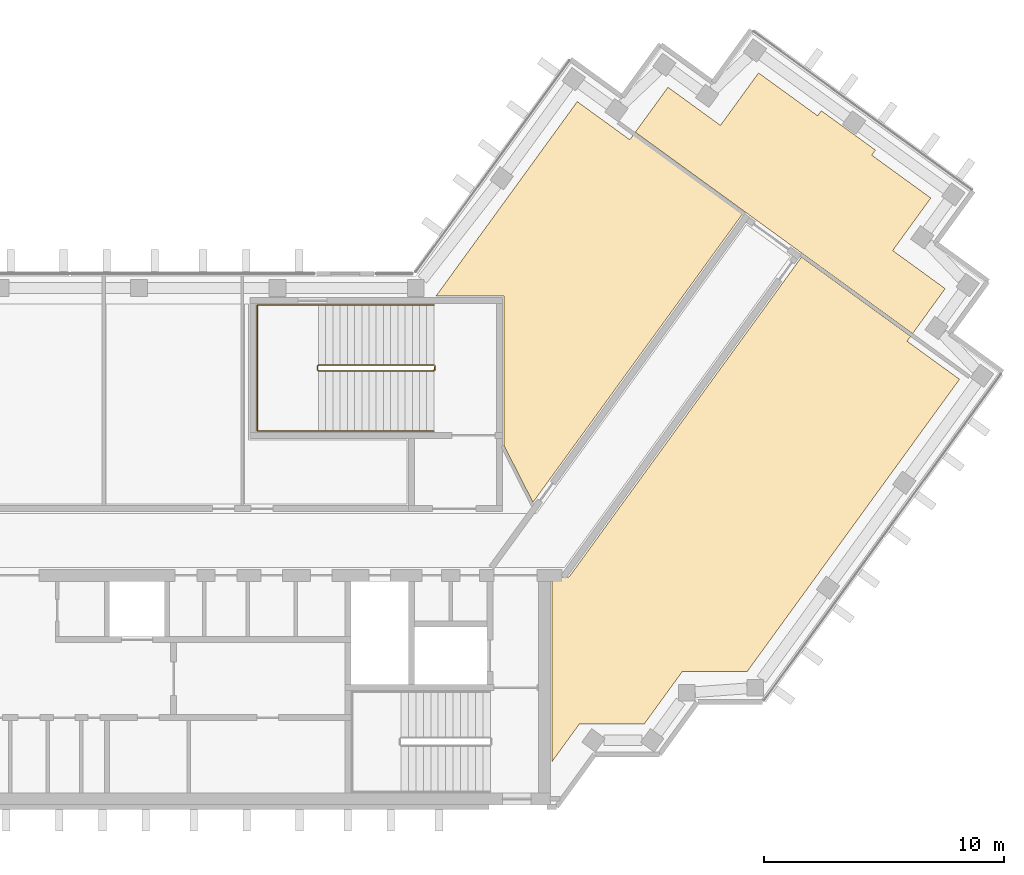
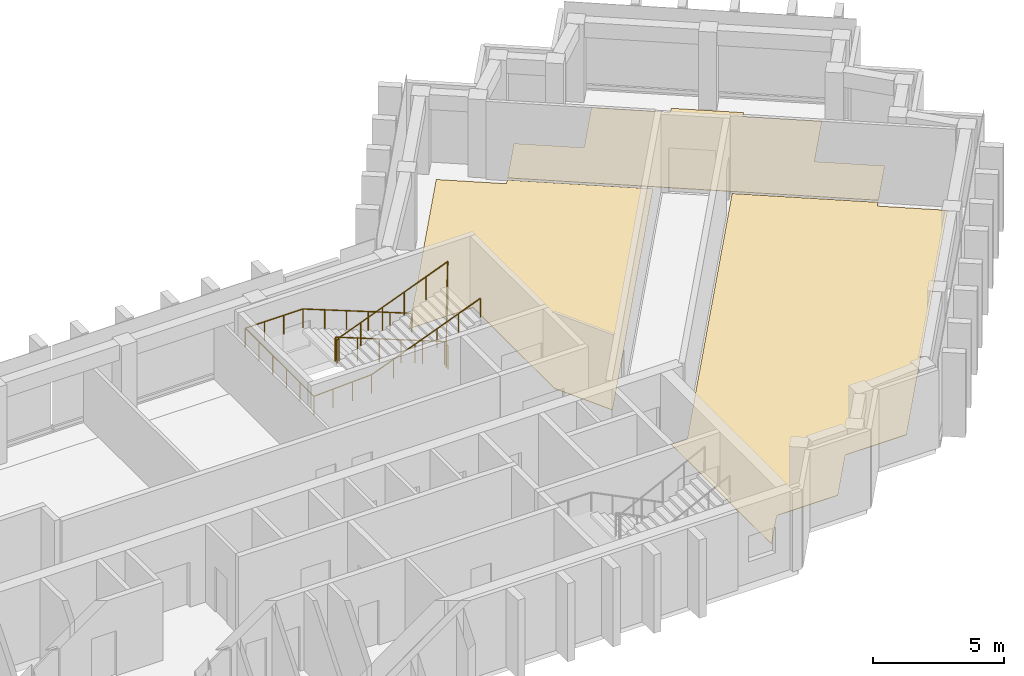
# One storey, part 9 of 9: 3 coverings, 2 railings.
"""IFC4 building model written with IfcOpenShell, lengths in metres."""

from ifc_helpers import new_model, si_unit, direction, frame, origin, origin_2d, place, context, subcontext, project, spatial, polyline, circle, outline, extrude, material, layer, layer_set, type_object, element, save


model = new_model("IFC4")

# Units and contexts
model_context = context("Model", 3, precision=1e-05, world=origin(), true_north=direction((0.0, 1.0)))
body_context = subcontext(model_context, "Body", "Model", "MODEL_VIEW")
ifc_project = project(units=[si_unit("LENGTHUNIT", "METRE"), si_unit("AREAUNIT", "SQUARE_METRE"), si_unit("VOLUMEUNIT", "CUBIC_METRE"), si_unit("PLANEANGLEUNIT", "RADIAN"), si_unit("MASSUNIT", "GRAM", prefix="KILO")], contexts=[model_context])

# Site, building, storey
site_placement = place(None, origin())
site = spatial("IfcSite", under=ifc_project, at=site_placement, CompositionType="ELEMENT")
building_placement = place(site_placement, origin())
building = spatial("IfcBuilding", under=site, at=building_placement, Name="Quipu Civic Tower", CompositionType="ELEMENT")
storey_placement = place(building_placement, frame((0.0, 0.0, 293.0)))
storey = spatial("IfcBuildingStorey", under=building, at=storey_placement, Name="L68", CompositionType="ELEMENT", Elevation=293.0)

# Coverings
ifc_material_1 = material(Name="Carpet tile on raised access floor")
ifc_layer = layer(ifc_material_1, 0.02001953125)
ifc_layer_set = layer_set([ifc_layer], Name="Carpet tile on raised access floor")
covering_type = type_object("IfcCoveringType", Name="Carpet tile floor finish 20", PredefinedType="FLOORING", material=ifc_layer_set)
covering_1_placement = place(storey_placement, origin())
element("IfcCovering", 1, at=covering_1_placement, inside=storey, type_object=covering_type, Name="Carpet tile floor finish 20", PredefinedType="FLOORING", context=body_context, shape_type="SweptSolid", body=[
    extrude(outline(polyline([(15.238037109375, 10.169921875), (21.115966796875, 18.260986328125), (23.299072265625, 16.676025390625), (23.447998046875, 16.876953125), (27.987060546875, 13.5791015625), (19.27197265625, 1.583984375), (18.070068359375, 3.94189453125), (18.070068359375, 10.1689453125), (15.238037109375, 10.169921875)])), origin(), (0.0, 0.0, 1.0), 0.02001953125),
])
covering_2_placement = place(storey_placement, origin())
element("IfcCovering", 2, at=covering_2_placement, inside=storey, type_object=covering_type, Name="Carpet tile floor finish 20", PredefinedType="FLOORING", context=body_context, shape_type="SweptSolid", body=[
    extrude(outline(polyline([(23.531005859375, 16.989013671875), (24.888916015625, 18.85791015625), (27.073974609375, 17.27197265625), (28.658935546875, 19.455078125), (31.116943359375, 17.6708984375), (31.27099609375, 17.8798828125), (33.52197265625, 16.2451171875), (33.3701171875, 16.032958984375), (35.826904296875, 14.248046875), (34.240966796875, 12.06396484375), (36.425048828125, 10.47705078125), (35.068115234375, 8.60791015625), (23.531005859375, 16.989013671875)])), origin(), (0.0, 0.0, 1.0), 0.02001953125),
])
covering_3_placement = place(storey_placement, origin())
element("IfcCovering", 3, at=covering_3_placement, inside=storey, type_object=covering_type, Name="Carpet tile floor finish 20", PredefinedType="FLOORING", context=body_context, shape_type="SweptSolid", body=[
    extrude(outline(polyline([(20.070068359375, -9.195068359375), (20.070068359375, -1.52001953125), (20.77490234375, -1.51904296875), (30.446044921875, 11.7919921875), (34.985107421875, 8.493896484375), (34.839111328125, 8.291015625), (37.02197265625, 6.7060546875), (28.181884765625, -5.4609375), (25.48193359375, -5.4619140625), (23.89501953125, -7.64599609375), (21.196044921875, -7.64599609375), (20.070068359375, -9.195068359375)])), origin(), (0.0, 0.0, 1.0), 0.02001953125),
])

# Railings
ifc_material_2 = material(Name="Stainless steel", Category="steel")
railing_type_1 = type_object("IfcRailingType", Name="Stair guard 1100", PredefinedType="GUARDRAIL", material=ifc_material_2)
railing_1_placement = place(storey_placement, frame((15.14990234375, 7.300048828125, 0.11767578125)))
element("IfcRailing", 4, at=railing_1_placement, inside=storey, type_object=railing_type_1, Name="Stair 4 guard", PredefinedType="GUARDRAIL", context=body_context, shape_type="SweptSolid", body=[
    extrude(circle(Radius=0.02392578125, at=origin_2d()), frame((0.0, 0.0, 1.076171875), z_axis=(-0.930970042603, 0.0, 0.365095576219), x_axis=(0.0, -1.0, 0.0)), (0.0, 0.0, 1.0), 5.15576171875),
    extrude(circle(Radius=0.02392578125, at=origin_2d()), frame((-4.7998046875, 0.0, 2.95849609375), z_axis=(-0.707106781187, -0.707106781187, 0.0), x_axis=(0.707106781187, -0.707106781187, 0.0)), (0.0, 0.0, 1.0), 0.07080078125),
    extrude(circle(Radius=0.02392578125, at=origin_2d()), frame((-4.849853515625, -0.050048828125, 2.95849609375), z_axis=(0.0, -1.0, 0.0), x_axis=(1.0, 0.0, 0.0)), (0.0, 0.0, 1.0), 0.14990234375),
    extrude(circle(Radius=0.02392578125, at=origin_2d()), frame((-4.849853515625, -0.199951171875, 2.95849609375), z_axis=(0.364463019033, -0.364463019033, 0.856932561824), x_axis=(0.707106781187, 0.707106781187, 0.0)), (0.0, 0.0, 1.0), 0.13720703125),
    extrude(circle(Radius=0.02392578125, at=origin_2d()), frame((-4.7998046875, -0.25, 3.076171875), z_axis=(0.930970042603, 0.0, 0.365095576219), x_axis=(0.0, 1.0, 0.0)), (0.0, 0.0, 1.0), 5.15576171875),
    extrude(circle(Radius=0.02392578125, at=origin_2d()), frame((0.0, -0.25, 4.95849609375), z_axis=(0.012495627992, 0.049921557685, -0.998674970829), x_axis=(-0.970072785993, 0.242814311512, 0.0)), (0.0, 0.0, 1.0), 4.00537109375),
    extrude(circle(Radius=0.02392578125, at=origin_2d()), frame((0.050048828125, -0.050048828125, 0.95849609375), z_axis=(0.0, -1.0, 0.0), x_axis=(1.0, 0.0, 0.0)), (0.0, 0.0, 1.0), 0.14990234375),
    extrude(circle(Radius=0.02099609375, at=origin_2d()), origin(), (0.0, 0.0, 1.0), 1.052001953125),
    extrude(circle(Radius=0.02099609375, at=origin_2d()), frame((-0.9599609375, 0.0, 0.37646484375)), (0.0, 0.0, 1.0), 1.052001953125),
    extrude(circle(Radius=0.02099609375, at=origin_2d()), frame((-1.919921875, 0.0, 0.7529296875)), (0.0, 0.0, 1.0), 1.052001953125),
    extrude(circle(Radius=0.02099609375, at=origin_2d()), frame((-2.8798828125, 0.0, 1.12939453125)), (0.0, 0.0, 1.0), 1.052001953125),
    extrude(circle(Radius=0.02099609375, at=origin_2d()), frame((-3.83984375, 0.0, 1.505859375)), (0.0, 0.0, 1.0), 1.052001953125),
    extrude(circle(Radius=0.02099609375, at=origin_2d()), frame((-4.7998046875, 0.0, 1.88232421875)), (0.0, 0.0, 1.0), 1.052001953125),
    extrude(circle(Radius=0.02099609375, at=origin_2d()), frame((-4.849853515625, -0.050048828125, 1.88232421875)), (0.0, 0.0, 1.0), 1.052001953125),
    extrude(circle(Radius=0.02099609375, at=origin_2d()), frame((-4.849853515625, -0.199951171875, 1.88232421875)), (0.0, 0.0, 1.0), 1.052001953125),
    extrude(circle(Radius=0.02099609375, at=origin_2d()), frame((-4.7998046875, -0.25, 2.0)), (0.0, 0.0, 1.0), 1.052001953125),
    extrude(circle(Radius=0.02099609375, at=origin_2d()), frame((-3.83984375, -0.25, 2.37646484375)), (0.0, 0.0, 1.0), 1.052001953125),
    extrude(circle(Radius=0.02099609375, at=origin_2d()), frame((-2.8798828125, -0.25, 2.7529296875)), (0.0, 0.0, 1.0), 1.052001953125),
    extrude(circle(Radius=0.02099609375, at=origin_2d()), frame((-1.919921875, -0.25, 3.12939453125)), (0.0, 0.0, 1.0), 1.052001953125),
    extrude(circle(Radius=0.02099609375, at=origin_2d()), frame((-0.9599609375, -0.25, 3.505859375)), (0.0, 0.0, 1.0), 1.052001953125),
    extrude(circle(Radius=0.02099609375, at=origin_2d()), frame((0.0, -0.25, 3.88232421875)), (0.0, 0.0, 1.0), 1.052001953125),
    extrude(circle(Radius=0.02099609375, at=origin_2d()), frame((0.012451171875, -0.199951171875, 2.88232421875)), (0.0, 0.0, 1.0), 1.052001953125),
    extrude(circle(Radius=0.02099609375, at=origin_2d()), frame((0.02490234375, -0.14990234375, 1.88232421875)), (0.0, 0.0, 1.0), 1.052001953125),
    extrude(circle(Radius=0.02099609375, at=origin_2d()), frame((0.03759765625, -0.10009765625, 0.88232421875)), (0.0, 0.0, 1.0), 1.052001953125),
    extrude(circle(Radius=0.02099609375, at=origin_2d()), frame((0.050048828125, -0.050048828125, -0.11767578125)), (0.0, 0.0, 1.0), 1.052001953125),
    extrude(circle(Radius=0.02099609375, at=origin_2d()), frame((0.050048828125, -0.199951171875, -0.11767578125)), (0.0, 0.0, 1.0), 1.052001953125),
])
ifc_material_3 = material(Name="Stainless steel", Category="steel")
railing_type_2 = type_object("IfcRailingType", Name="Stair handrail", PredefinedType="HANDRAIL", material=ifc_material_3)
railing_2_placement = place(storey_placement, frame((15.14990234375, 9.800048828125, 0.11767578125)))
element("IfcRailing", 5, at=railing_2_placement, inside=storey, type_object=railing_type_2, Name="Stair 4 handrail", PredefinedType="HANDRAIL", context=body_context, shape_type="SweptSolid", body=[
    extrude(circle(Radius=0.02392578125, at=origin_2d()), frame((0.0, 0.0, 0.8759765625), z_axis=(-0.930970042603, 0.0, 0.365095576219), x_axis=(0.0, -1.0, 0.0)), (0.0, 0.0, 1.0), 5.15576171875),
    extrude(circle(Radius=0.02392578125, at=origin_2d()), frame((-4.7998046875, 0.0, 2.75830078125), z_axis=(-1.0, 0.0, 0.0), x_axis=(0.0, -1.0, 0.0)), (0.0, 0.0, 1.0), 2.550048828125),
    extrude(circle(Radius=0.02392578125, at=origin_2d()), frame((-7.349853515625, 0.0, 2.75830078125), z_axis=(0.0, -1.0, 0.0), x_axis=(1.0, 0.0, 0.0)), (0.0, 0.0, 1.0), 5.25),
    extrude(circle(Radius=0.02392578125, at=origin_2d()), frame((-7.349853515625, -5.25, 2.75830078125), z_axis=(0.998936948642, 0.0, 0.04609742549), x_axis=(0.0, 1.0, 0.0)), (0.0, 0.0, 1.0), 2.552734375),
    extrude(circle(Radius=0.02392578125, at=origin_2d()), frame((-4.7998046875, -5.25, 2.8759765625), z_axis=(0.930970042603, 0.0, 0.365095576219), x_axis=(0.0, 1.0, 0.0)), (0.0, 0.0, 1.0), 5.15576171875),
    extrude(circle(Radius=0.02099609375, at=origin_2d()), origin(), (0.0, 0.0, 1.0), 0.851806640625),
    extrude(circle(Radius=0.02099609375, at=origin_2d()), frame((-0.9599609375, 0.0, 0.37646484375)), (0.0, 0.0, 1.0), 0.851806640625),
    extrude(circle(Radius=0.02099609375, at=origin_2d()), frame((-1.919921875, 0.0, 0.7529296875)), (0.0, 0.0, 1.0), 0.851806640625),
    extrude(circle(Radius=0.02099609375, at=origin_2d()), frame((-2.8798828125, 0.0, 1.12939453125)), (0.0, 0.0, 1.0), 0.851806640625),
    extrude(circle(Radius=0.02099609375, at=origin_2d()), frame((-3.83984375, 0.0, 1.505859375)), (0.0, 0.0, 1.0), 0.851806640625),
    extrude(circle(Radius=0.02099609375, at=origin_2d()), frame((-4.7998046875, 0.0, 1.88232421875)), (0.0, 0.0, 1.0), 0.851806640625),
    extrude(circle(Radius=0.02099609375, at=origin_2d()), frame((-5.64990234375, 0.0, 1.88232421875)), (0.0, 0.0, 1.0), 0.851806640625),
    extrude(circle(Radius=0.02099609375, at=origin_2d()), frame((-6.499755859375, 0.0, 1.88232421875)), (0.0, 0.0, 1.0), 0.851806640625),
    extrude(circle(Radius=0.02099609375, at=origin_2d()), frame((-7.349853515625, 0.0, 1.88232421875)), (0.0, 0.0, 1.0), 0.851806640625),
    extrude(circle(Radius=0.02099609375, at=origin_2d()), frame((-7.349853515625, -1.050048828125, 1.88232421875)), (0.0, 0.0, 1.0), 0.851806640625),
    extrude(circle(Radius=0.02099609375, at=origin_2d()), frame((-7.349853515625, -2.10009765625, 1.88232421875)), (0.0, 0.0, 1.0), 0.851806640625),
    extrude(circle(Radius=0.02099609375, at=origin_2d()), frame((-7.349853515625, -3.14990234375, 1.88232421875)), (0.0, 0.0, 1.0), 0.851806640625),
    extrude(circle(Radius=0.02099609375, at=origin_2d()), frame((-7.349853515625, -4.199951171875, 1.88232421875)), (0.0, 0.0, 1.0), 0.851806640625),
    extrude(circle(Radius=0.02099609375, at=origin_2d()), frame((-7.349853515625, -5.25, 1.88232421875)), (0.0, 0.0, 1.0), 0.851806640625),
    extrude(circle(Radius=0.02099609375, at=origin_2d()), frame((-6.499755859375, -5.25, 1.921630859375)), (0.0, 0.0, 1.0), 0.851806640625),
    extrude(circle(Radius=0.02099609375, at=origin_2d()), frame((-5.64990234375, -5.25, 1.960693359375)), (0.0, 0.0, 1.0), 0.851806640625),
    extrude(circle(Radius=0.02099609375, at=origin_2d()), frame((-4.7998046875, -5.25, 2.0)), (0.0, 0.0, 1.0), 0.851806640625),
    extrude(circle(Radius=0.02099609375, at=origin_2d()), frame((-3.83984375, -5.25, 2.37646484375)), (0.0, 0.0, 1.0), 0.851806640625),
    extrude(circle(Radius=0.02099609375, at=origin_2d()), frame((-2.8798828125, -5.25, 2.7529296875)), (0.0, 0.0, 1.0), 0.851806640625),
    extrude(circle(Radius=0.02099609375, at=origin_2d()), frame((-1.919921875, -5.25, 3.12939453125)), (0.0, 0.0, 1.0), 0.851806640625),
    extrude(circle(Radius=0.02099609375, at=origin_2d()), frame((-0.9599609375, -5.25, 3.505859375)), (0.0, 0.0, 1.0), 0.851806640625),
    extrude(circle(Radius=0.02099609375, at=origin_2d()), frame((0.0, -5.25, 3.88232421875)), (0.0, 0.0, 1.0), 0.851806640625),
])

save(model, "model.ifc")
